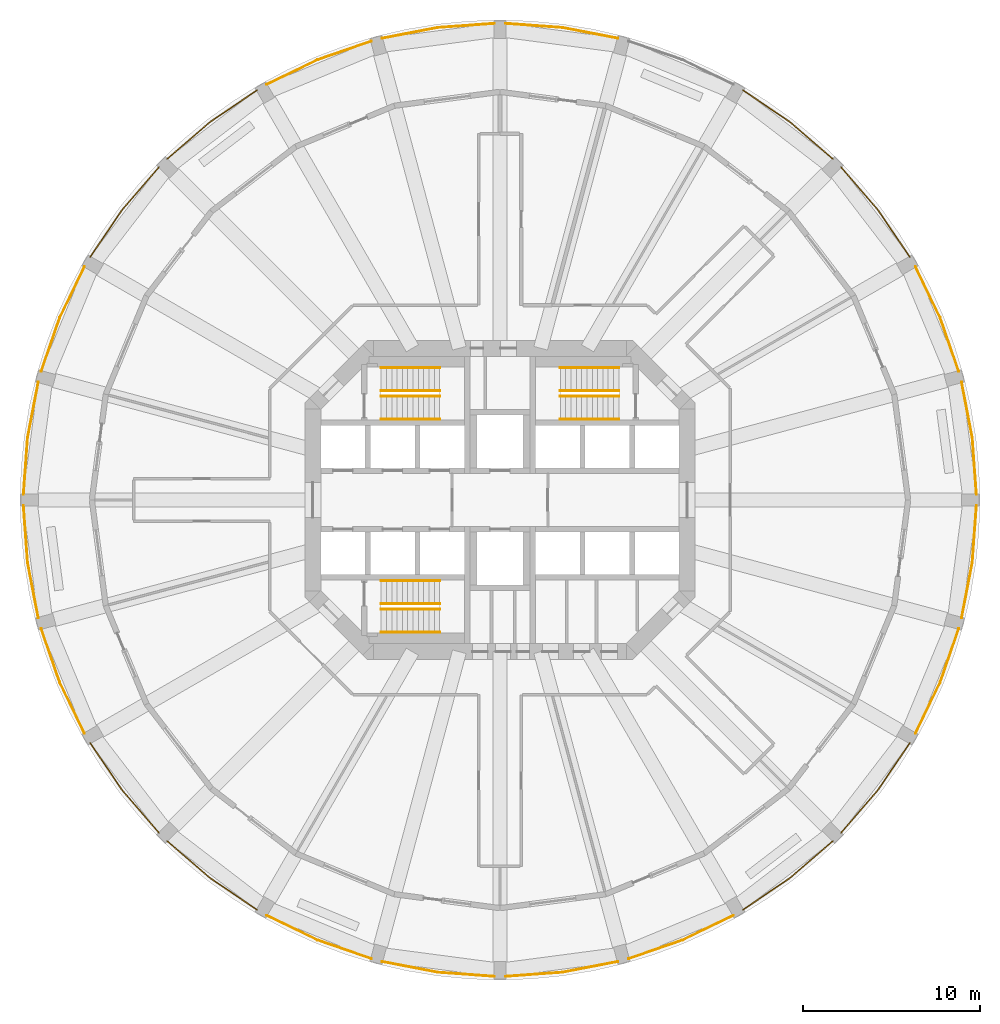
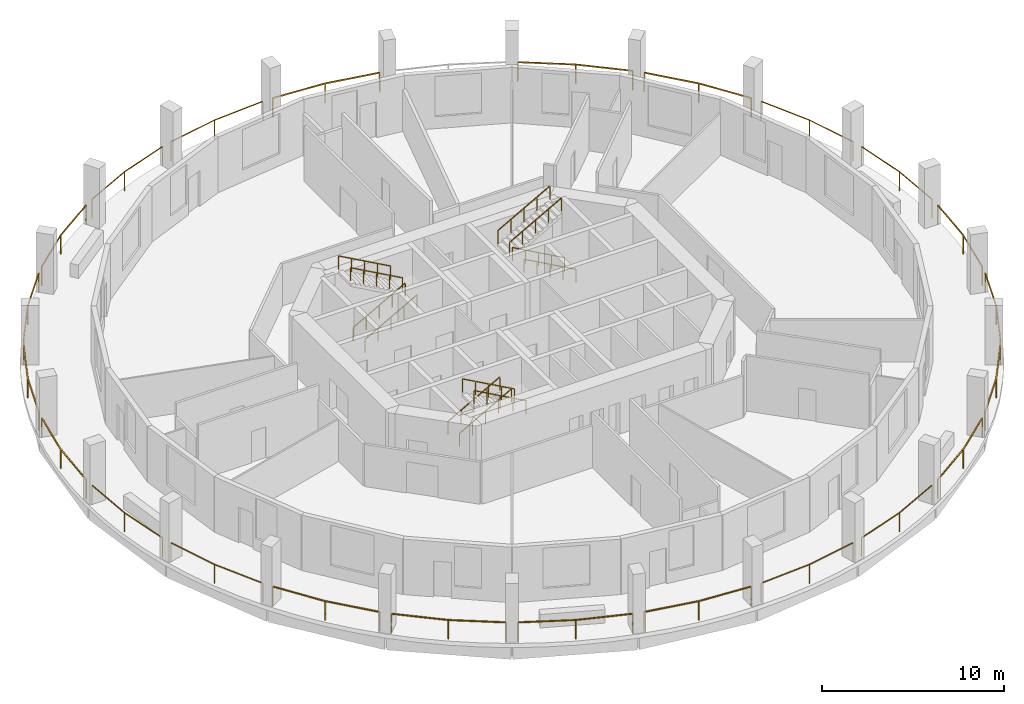
# One storey, part 8 of 9: 35 railings.
"""IFC4 building model written with IfcOpenShell, lengths in metres."""

from ifc_helpers import new_model, si_unit, direction, frame, origin, origin_2d, place, context, subcontext, project, spatial, rectangle, extrude, material, type_object, element, save


model = new_model("IFC4")

# Units and contexts
model_context = context("Model", 3, precision=1e-05, world=origin(), true_north=direction((0.0, 1.0)))
body_context = subcontext(model_context, "Body", "Model", "MODEL_VIEW")
ifc_project = project(units=[si_unit("LENGTHUNIT", "METRE"), si_unit("AREAUNIT", "SQUARE_METRE"), si_unit("VOLUMEUNIT", "CUBIC_METRE"), si_unit("PLANEANGLEUNIT", "RADIAN"), si_unit("MASSUNIT", "GRAM", prefix="KILO")], contexts=[model_context])

# Site, building, storey
site_placement = place(None, origin())
site = spatial("IfcSite", under=ifc_project, at=site_placement, CompositionType="ELEMENT")
building_placement = place(site_placement, origin())
building = spatial("IfcBuilding", under=site, at=building_placement, Name="Torre Triforio", CompositionType="ELEMENT")
storey_placement = place(building_placement, frame((0.0, 0.0, 51.0)))
storey = spatial("IfcBuildingStorey", under=building, at=storey_placement, Name="L10", CompositionType="ELEMENT", Elevation=51.0)

# Railings
ifc_material = material(Name="Stainless steel AISI 316", Category="steel")
railing_type_1 = type_object("IfcRailingType", Name="HANDRAIL 920", PredefinedType="HANDRAIL", material=ifc_material)
for number, where, name in (
    (1, (-6.699951171875, 4.550048828125, 0.166748046875), "Handrail ST1"),
    (2, (-6.699951171875, 5.85009765625, 0.166748046875), "Handrail ST1"),
):
    element("IfcRailing", number, at=place(storey_placement, frame(where)), inside=storey, type_object=railing_type_1, Name=name, PredefinedType="HANDRAIL", context=body_context, shape_type="SweptSolid", body=[
        extrude(rectangle(XDim=0.048095703125, YDim=0.048095703125, at=origin_2d()), frame((0.0, 0.0, 0.89599609375), z_axis=(0.874169478083, 0.0, 0.485620966999), x_axis=(0.0, 1.0, 0.0)), (0.0, 0.0, 1.0), 3.775146484375),
        extrude(rectangle(XDim=0.0419921875, YDim=0.0419921875, at=origin_2d()), origin(), (0.0, 0.0, 1.0), 0.871826171875),
        extrude(rectangle(XDim=0.0419921875, YDim=0.0419921875, at=origin_2d()), frame((0.824951171875, 0.0, 0.458251953125)), (0.0, 0.0, 1.0), 0.871826171875),
        extrude(rectangle(XDim=0.0419921875, YDim=0.0419921875, at=origin_2d()), frame((1.64990234375, 0.0, 0.91650390625)), (0.0, 0.0, 1.0), 0.871826171875),
        extrude(rectangle(XDim=0.0419921875, YDim=0.0419921875, at=origin_2d()), frame((2.47509765625, 0.0, 1.375)), (0.0, 0.0, 1.0), 0.871826171875),
        extrude(rectangle(XDim=0.0419921875, YDim=0.0419921875, at=origin_2d()), frame((3.300048828125, 0.0, 1.833251953125)), (0.0, 0.0, 1.0), 0.871826171875),
    ])
for number, where, name in (
    (3, (-3.39990234375, 7.449951171875, 2.166748046875), "Handrail ST1"),
    (4, (-3.39990234375, 6.14990234375, 2.166748046875), "Handrail ST1"),
    (5, (6.699951171875, 4.550048828125, 0.166748046875), "Handrail ST2"),
    (6, (6.699951171875, 5.85009765625, 0.166748046875), "Handrail ST2"),
):
    element("IfcRailing", number, at=place(storey_placement, frame(where)), inside=storey, type_object=railing_type_1, Name=name, PredefinedType="HANDRAIL", context=body_context, shape_type="SweptSolid", body=[
        extrude(rectangle(XDim=0.048095703125, YDim=0.048095703125, at=origin_2d()), frame((0.0, 0.0, 0.89599609375), z_axis=(-0.874169478083, 0.0, 0.485620966999), x_axis=(0.0, -1.0, 0.0)), (0.0, 0.0, 1.0), 3.775146484375),
        extrude(rectangle(XDim=0.0419921875, YDim=0.0419921875, at=origin_2d()), origin(), (0.0, 0.0, 1.0), 0.871826171875),
        extrude(rectangle(XDim=0.0419921875, YDim=0.0419921875, at=origin_2d()), frame((-0.824951171875, 0.0, 0.458251953125)), (0.0, 0.0, 1.0), 0.871826171875),
        extrude(rectangle(XDim=0.0419921875, YDim=0.0419921875, at=origin_2d()), frame((-1.64990234375, 0.0, 0.91650390625)), (0.0, 0.0, 1.0), 0.871826171875),
        extrude(rectangle(XDim=0.0419921875, YDim=0.0419921875, at=origin_2d()), frame((-2.47509765625, 0.0, 1.375)), (0.0, 0.0, 1.0), 0.871826171875),
        extrude(rectangle(XDim=0.0419921875, YDim=0.0419921875, at=origin_2d()), frame((-3.300048828125, 0.0, 1.833251953125)), (0.0, 0.0, 1.0), 0.871826171875),
    ])
for number, where, name in (
    (7, (3.39990234375, 7.449951171875, 2.166748046875), "Handrail ST2"),
    (8, (3.39990234375, 6.14990234375, 2.166748046875), "Handrail ST2"),
    (9, (-6.699951171875, -4.550048828125, 0.166748046875), "Handrail ST3"),
    (10, (-6.699951171875, -5.85009765625, 0.166748046875), "Handrail ST3"),
):
    element("IfcRailing", number, at=place(storey_placement, frame(where)), inside=storey, type_object=railing_type_1, Name=name, PredefinedType="HANDRAIL", context=body_context, shape_type="SweptSolid", body=[
        extrude(rectangle(XDim=0.048095703125, YDim=0.048095703125, at=origin_2d()), frame((0.0, 0.0, 0.89599609375), z_axis=(0.874169478083, 0.0, 0.485620966999), x_axis=(0.0, 1.0, 0.0)), (0.0, 0.0, 1.0), 3.775146484375),
        extrude(rectangle(XDim=0.0419921875, YDim=0.0419921875, at=origin_2d()), origin(), (0.0, 0.0, 1.0), 0.871826171875),
        extrude(rectangle(XDim=0.0419921875, YDim=0.0419921875, at=origin_2d()), frame((0.824951171875, 0.0, 0.458251953125)), (0.0, 0.0, 1.0), 0.871826171875),
        extrude(rectangle(XDim=0.0419921875, YDim=0.0419921875, at=origin_2d()), frame((1.64990234375, 0.0, 0.91650390625)), (0.0, 0.0, 1.0), 0.871826171875),
        extrude(rectangle(XDim=0.0419921875, YDim=0.0419921875, at=origin_2d()), frame((2.47509765625, 0.0, 1.375)), (0.0, 0.0, 1.0), 0.871826171875),
        extrude(rectangle(XDim=0.0419921875, YDim=0.0419921875, at=origin_2d()), frame((3.300048828125, 0.0, 1.833251953125)), (0.0, 0.0, 1.0), 0.871826171875),
    ])
for number, where, name in (
    (11, (-3.39990234375, -7.449951171875, 2.166748046875), "Handrail ST3"),
    (12, (-3.39990234375, -6.14990234375, 2.166748046875), "Handrail ST3"),
):
    element("IfcRailing", number, at=place(storey_placement, frame(where)), inside=storey, type_object=railing_type_1, Name=name, PredefinedType="HANDRAIL", context=body_context, shape_type="SweptSolid", body=[
        extrude(rectangle(XDim=0.048095703125, YDim=0.048095703125, at=origin_2d()), frame((0.0, 0.0, 0.89599609375), z_axis=(-0.874169478083, 0.0, 0.485620966999), x_axis=(0.0, -1.0, 0.0)), (0.0, 0.0, 1.0), 3.775146484375),
        extrude(rectangle(XDim=0.0419921875, YDim=0.0419921875, at=origin_2d()), origin(), (0.0, 0.0, 1.0), 0.871826171875),
        extrude(rectangle(XDim=0.0419921875, YDim=0.0419921875, at=origin_2d()), frame((-0.824951171875, 0.0, 0.458251953125)), (0.0, 0.0, 1.0), 0.871826171875),
        extrude(rectangle(XDim=0.0419921875, YDim=0.0419921875, at=origin_2d()), frame((-1.64990234375, 0.0, 0.91650390625)), (0.0, 0.0, 1.0), 0.871826171875),
        extrude(rectangle(XDim=0.0419921875, YDim=0.0419921875, at=origin_2d()), frame((-2.47509765625, 0.0, 1.375)), (0.0, 0.0, 1.0), 0.871826171875),
        extrude(rectangle(XDim=0.0419921875, YDim=0.0419921875, at=origin_2d()), frame((-3.300048828125, 0.0, 1.833251953125)), (0.0, 0.0, 1.0), 0.871826171875),
    ])
railing_type_2 = type_object("IfcRailingType", Name="Loggia guard 1300", PredefinedType="GUARDRAIL", material=ifc_material)
railing_1_placement = place(storey_placement, frame((26.85009765625, 0.320068359375, 0.0)))
element("IfcRailing", 13, at=railing_1_placement, inside=storey, type_object=railing_type_2, Name="Loggia guard L10 bay 01", PredefinedType="GUARDRAIL", context=body_context, shape_type="SweptSolid", body=[
    extrude(rectangle(XDim=0.050048828125, YDim=0.050048828125, at=origin_2d()), frame((0.0, 0.0, 1.27490234375), z_axis=(-0.071953458998, 0.997407990613, 0.0), x_axis=(-0.997407990613, -0.071953458998, 0.0)), (0.0, 0.0, 1.0), 3.19287109375),
    extrude(rectangle(XDim=0.050048828125, YDim=0.050048828125, at=origin_2d()), frame((-0.229736328125, 3.1845703125, 1.27490234375), z_axis=(-0.188714097365, 0.982032071501, 0.0), x_axis=(-0.982032071501, -0.188714097365, 0.0)), (0.0, 0.0, 1.0), 3.19287109375),
    extrude(rectangle(XDim=0.0400390625, YDim=0.0400390625, at=origin_2d()), origin(), (0.0, 0.0, 1.0), 1.25),
    extrude(rectangle(XDim=0.0400390625, YDim=0.0400390625, at=origin_2d()), frame((-0.229736328125, 3.1845703125, 0.0)), (0.0, 0.0, 1.0), 1.25),
    extrude(rectangle(XDim=0.0400390625, YDim=0.0400390625, at=origin_2d()), frame((-0.832275390625, 6.320068359375, 0.0)), (0.0, 0.0, 1.0), 1.25),
])
railing_2_placement = place(storey_placement, frame((25.852294921875, 7.25830078125, 0.0)))
element("IfcRailing", 14, at=railing_2_placement, inside=storey, type_object=railing_type_2, Name="Loggia guard L10 bay 02", PredefinedType="GUARDRAIL", context=body_context, shape_type="SweptSolid", body=[
    extrude(rectangle(XDim=0.050048828125, YDim=0.050048828125, at=origin_2d()), frame((0.0, 0.0, 1.27490234375), z_axis=(-0.327627852034, 0.94480685358, 0.0), x_axis=(-0.94480685358, -0.327627852034, 0.0)), (0.0, 0.0, 1.0), 3.193115234375),
    extrude(rectangle(XDim=0.050048828125, YDim=0.050048828125, at=origin_2d()), frame((-1.046142578125, 3.016845703125, 1.27490234375), z_axis=(-0.436384192305, 0.899760432952, 0.0), x_axis=(-0.899760432952, -0.436384192305, 0.0)), (0.0, 0.0, 1.0), 3.19287109375),
    extrude(rectangle(XDim=0.0400390625, YDim=0.0400390625, at=origin_2d()), origin(), (0.0, 0.0, 1.0), 1.25),
    extrude(rectangle(XDim=0.0400390625, YDim=0.0400390625, at=origin_2d()), frame((-1.046142578125, 3.016845703125, 0.0)), (0.0, 0.0, 1.0), 1.25),
    extrude(rectangle(XDim=0.0400390625, YDim=0.0400390625, at=origin_2d()), frame((-2.439453125, 5.8896484375, 0.0)), (0.0, 0.0, 1.0), 1.25),
])
railing_3_placement = place(storey_placement, frame((23.0927734375, 13.7021484375, 0.0)))
element("IfcRailing", 15, at=railing_3_placement, inside=storey, type_object=railing_type_2, Name="Loggia guard L10 bay 03", PredefinedType="GUARDRAIL", context=body_context, shape_type="SweptSolid", body=[
    extrude(rectangle(XDim=0.050048828125, YDim=0.050048828125, at=origin_2d()), frame((0.0, 0.0, 1.27490234375), z_axis=(-0.561018896338, 0.82780299465, 0.0), x_axis=(-0.82780299465, -0.561018896338, 0.0)), (0.0, 0.0, 1.0), 3.19287109375),
    extrude(rectangle(XDim=0.050048828125, YDim=0.050048828125, at=origin_2d()), frame((-1.791259765625, 2.64306640625, 1.27490234375), z_axis=(-0.654385993255, 0.756160678581, 0.0), x_axis=(-0.756160678581, -0.654385993255, 0.0)), (0.0, 0.0, 1.0), 3.19287109375),
    extrude(rectangle(XDim=0.0400390625, YDim=0.0400390625, at=origin_2d()), origin(), (0.0, 0.0, 1.0), 1.25),
    extrude(rectangle(XDim=0.0400390625, YDim=0.0400390625, at=origin_2d()), frame((-1.791259765625, 2.64306640625, 0.0)), (0.0, 0.0, 1.0), 1.25),
    extrude(rectangle(XDim=0.0400390625, YDim=0.0400390625, at=origin_2d()), frame((-3.880615234375, 5.057373046875, 0.0)), (0.0, 0.0, 1.0), 1.25),
])
railing_4_placement = place(storey_placement, frame((18.759521484375, 19.212158203125, 0.0)))
element("IfcRailing", 16, at=railing_4_placement, inside=storey, type_object=railing_type_2, Name="Loggia guard L10 bay 04", PredefinedType="GUARDRAIL", context=body_context, shape_type="SweptSolid", body=[
    extrude(rectangle(XDim=0.050048828125, YDim=0.050048828125, at=origin_2d()), frame((0.0, 0.0, 1.27490234375), z_axis=(-0.756160678581, 0.654385993255, 0.0), x_axis=(-0.654385993255, -0.756160678581, 0.0)), (0.0, 0.0, 1.0), 3.19287109375),
    extrude(rectangle(XDim=0.050048828125, YDim=0.050048828125, at=origin_2d()), frame((-2.414306640625, 2.08935546875, 1.27490234375), z_axis=(-0.82780299465, 0.561018896338, 0.0), x_axis=(-0.561018896338, -0.82780299465, 0.0)), (0.0, 0.0, 1.0), 3.19287109375),
    extrude(rectangle(XDim=0.0400390625, YDim=0.0400390625, at=origin_2d()), origin(), (0.0, 0.0, 1.0), 1.25),
    extrude(rectangle(XDim=0.0400390625, YDim=0.0400390625, at=origin_2d()), frame((-2.414306640625, 2.08935546875, 0.0)), (0.0, 0.0, 1.0), 1.25),
    extrude(rectangle(XDim=0.0400390625, YDim=0.0400390625, at=origin_2d()), frame((-5.057373046875, 3.880615234375, 0.0)), (0.0, 0.0, 1.0), 1.25),
])
railing_5_placement = place(storey_placement, frame((6.64013671875, 26.017822265625, 0.0)))
element("IfcRailing", 17, at=railing_5_placement, inside=storey, type_object=railing_type_2, Name="Loggia guard L10 bay 06", PredefinedType="GUARDRAIL", context=body_context, shape_type="SweptSolid", body=[
    extrude(rectangle(XDim=0.050048828125, YDim=0.050048828125, at=origin_2d()), frame((0.0, 0.0, 1.27490234375), z_axis=(-0.982032071501, 0.188714097365, 0.0), x_axis=(-0.188714097365, -0.982032071501, 0.0)), (0.0, 0.0, 1.0), 3.19287109375),
    extrude(rectangle(XDim=0.050048828125, YDim=0.050048828125, at=origin_2d()), frame((-3.135498046875, 0.6025390625, 1.27490234375), z_axis=(-0.997407990613, 0.071953458998, 0.0), x_axis=(-0.071953458998, -0.997407990613, 0.0)), (0.0, 0.0, 1.0), 3.19287109375),
    extrude(rectangle(XDim=0.0400390625, YDim=0.0400390625, at=origin_2d()), origin(), (0.0, 0.0, 1.0), 1.25),
    extrude(rectangle(XDim=0.0400390625, YDim=0.0400390625, at=origin_2d()), frame((-3.135498046875, 0.6025390625, 0.0)), (0.0, 0.0, 1.0), 1.25),
    extrude(rectangle(XDim=0.0400390625, YDim=0.0400390625, at=origin_2d()), frame((-6.320068359375, 0.832275390625, 0.0)), (0.0, 0.0, 1.0), 1.25),
])
railing_6_placement = place(storey_placement, frame((-0.320068359375, 26.85009765625, 0.0)))
element("IfcRailing", 18, at=railing_6_placement, inside=storey, type_object=railing_type_2, Name="Loggia guard L10 bay 07", PredefinedType="GUARDRAIL", context=body_context, shape_type="SweptSolid", body=[
    extrude(rectangle(XDim=0.050048828125, YDim=0.050048828125, at=origin_2d()), frame((0.0, 0.0, 1.27490234375), z_axis=(-0.997407990613, -0.071953458998, 0.0), x_axis=(0.071953458998, -0.997407990613, 0.0)), (0.0, 0.0, 1.0), 3.19287109375),
    extrude(rectangle(XDim=0.050048828125, YDim=0.050048828125, at=origin_2d()), frame((-3.1845703125, -0.229736328125, 1.27490234375), z_axis=(-0.982032071501, -0.188714097365, 0.0), x_axis=(0.188714097365, -0.982032071501, 0.0)), (0.0, 0.0, 1.0), 3.19287109375),
    extrude(rectangle(XDim=0.0400390625, YDim=0.0400390625, at=origin_2d()), origin(), (0.0, 0.0, 1.0), 1.25),
    extrude(rectangle(XDim=0.0400390625, YDim=0.0400390625, at=origin_2d()), frame((-3.1845703125, -0.229736328125, 0.0)), (0.0, 0.0, 1.0), 1.25),
    extrude(rectangle(XDim=0.0400390625, YDim=0.0400390625, at=origin_2d()), frame((-6.320068359375, -0.832275390625, 0.0)), (0.0, 0.0, 1.0), 1.25),
])
railing_7_placement = place(storey_placement, frame((-7.25830078125, 25.852294921875, 0.0)))
element("IfcRailing", 19, at=railing_7_placement, inside=storey, type_object=railing_type_2, Name="Loggia guard L10 bay 08", PredefinedType="GUARDRAIL", context=body_context, shape_type="SweptSolid", body=[
    extrude(rectangle(XDim=0.050048828125, YDim=0.050048828125, at=origin_2d()), frame((0.0, 0.0, 1.27490234375), z_axis=(-0.94480685358, -0.327627852034, 0.0), x_axis=(0.327627852034, -0.94480685358, 0.0)), (0.0, 0.0, 1.0), 3.193115234375),
    extrude(rectangle(XDim=0.050048828125, YDim=0.050048828125, at=origin_2d()), frame((-3.016845703125, -1.046142578125, 1.27490234375), z_axis=(-0.899760432952, -0.436384192305, 0.0), x_axis=(0.436384192305, -0.899760432952, 0.0)), (0.0, 0.0, 1.0), 3.19287109375),
    extrude(rectangle(XDim=0.0400390625, YDim=0.0400390625, at=origin_2d()), origin(), (0.0, 0.0, 1.0), 1.25),
    extrude(rectangle(XDim=0.0400390625, YDim=0.0400390625, at=origin_2d()), frame((-3.016845703125, -1.046142578125, 0.0)), (0.0, 0.0, 1.0), 1.25),
    extrude(rectangle(XDim=0.0400390625, YDim=0.0400390625, at=origin_2d()), frame((-5.8896484375, -2.439453125, 0.0)), (0.0, 0.0, 1.0), 1.25),
])
railing_8_placement = place(storey_placement, frame((-13.7021484375, 23.0927734375, 0.0)))
element("IfcRailing", 20, at=railing_8_placement, inside=storey, type_object=railing_type_2, Name="Loggia guard L10 bay 09", PredefinedType="GUARDRAIL", context=body_context, shape_type="SweptSolid", body=[
    extrude(rectangle(XDim=0.050048828125, YDim=0.050048828125, at=origin_2d()), frame((0.0, 0.0, 1.27490234375), z_axis=(-0.82780299465, -0.561018896338, 0.0), x_axis=(0.561018896338, -0.82780299465, 0.0)), (0.0, 0.0, 1.0), 3.19287109375),
    extrude(rectangle(XDim=0.050048828125, YDim=0.050048828125, at=origin_2d()), frame((-2.64306640625, -1.791259765625, 1.27490234375), z_axis=(-0.756160678581, -0.654385993255, 0.0), x_axis=(0.654385993255, -0.756160678581, 0.0)), (0.0, 0.0, 1.0), 3.19287109375),
    extrude(rectangle(XDim=0.0400390625, YDim=0.0400390625, at=origin_2d()), origin(), (0.0, 0.0, 1.0), 1.25),
    extrude(rectangle(XDim=0.0400390625, YDim=0.0400390625, at=origin_2d()), frame((-2.64306640625, -1.791259765625, 0.0)), (0.0, 0.0, 1.0), 1.25),
    extrude(rectangle(XDim=0.0400390625, YDim=0.0400390625, at=origin_2d()), frame((-5.057373046875, -3.880615234375, 0.0)), (0.0, 0.0, 1.0), 1.25),
])
railing_9_placement = place(storey_placement, frame((-19.212158203125, 18.759521484375, 0.0)))
element("IfcRailing", 21, at=railing_9_placement, inside=storey, type_object=railing_type_2, Name="Loggia guard L10 bay 10", PredefinedType="GUARDRAIL", context=body_context, shape_type="SweptSolid", body=[
    extrude(rectangle(XDim=0.050048828125, YDim=0.050048828125, at=origin_2d()), frame((0.0, 0.0, 1.27490234375), z_axis=(-0.654385993255, -0.756160678581, 0.0), x_axis=(0.756160678581, -0.654385993255, 0.0)), (0.0, 0.0, 1.0), 3.19287109375),
    extrude(rectangle(XDim=0.050048828125, YDim=0.050048828125, at=origin_2d()), frame((-2.08935546875, -2.414306640625, 1.27490234375), z_axis=(-0.561018896338, -0.82780299465, 0.0), x_axis=(0.82780299465, -0.561018896338, 0.0)), (0.0, 0.0, 1.0), 3.19287109375),
    extrude(rectangle(XDim=0.0400390625, YDim=0.0400390625, at=origin_2d()), origin(), (0.0, 0.0, 1.0), 1.25),
    extrude(rectangle(XDim=0.0400390625, YDim=0.0400390625, at=origin_2d()), frame((-2.08935546875, -2.414306640625, 0.0)), (0.0, 0.0, 1.0), 1.25),
    extrude(rectangle(XDim=0.0400390625, YDim=0.0400390625, at=origin_2d()), frame((-3.880615234375, -5.057373046875, 0.0)), (0.0, 0.0, 1.0), 1.25),
])
railing_10_placement = place(storey_placement, frame((-23.412841796875, 13.14794921875, 0.0)))
element("IfcRailing", 22, at=railing_10_placement, inside=storey, type_object=railing_type_2, Name="Loggia guard L10 bay 11", PredefinedType="GUARDRAIL", context=body_context, shape_type="SweptSolid", body=[
    extrude(rectangle(XDim=0.050048828125, YDim=0.050048828125, at=origin_2d()), frame((0.0, 0.0, 1.27490234375), z_axis=(-0.436384192305, -0.899760432952, 0.0), x_axis=(0.899760432952, -0.436384192305, 0.0)), (0.0, 0.0, 1.0), 3.19287109375),
    extrude(rectangle(XDim=0.050048828125, YDim=0.050048828125, at=origin_2d()), frame((-1.393310546875, -2.872802734375, 1.27490234375), z_axis=(-0.327627852034, -0.94480685358, 0.0), x_axis=(0.94480685358, -0.327627852034, 0.0)), (0.0, 0.0, 1.0), 3.193115234375),
    extrude(rectangle(XDim=0.0400390625, YDim=0.0400390625, at=origin_2d()), origin(), (0.0, 0.0, 1.0), 1.25),
    extrude(rectangle(XDim=0.0400390625, YDim=0.0400390625, at=origin_2d()), frame((-1.393310546875, -2.872802734375, 0.0)), (0.0, 0.0, 1.0), 1.25),
    extrude(rectangle(XDim=0.0400390625, YDim=0.0400390625, at=origin_2d()), frame((-2.439453125, -5.8896484375, 0.0)), (0.0, 0.0, 1.0), 1.25),
])
railing_11_placement = place(storey_placement, frame((-26.017822265625, 6.64013671875, 0.0)))
element("IfcRailing", 23, at=railing_11_placement, inside=storey, type_object=railing_type_2, Name="Loggia guard L10 bay 12", PredefinedType="GUARDRAIL", context=body_context, shape_type="SweptSolid", body=[
    extrude(rectangle(XDim=0.050048828125, YDim=0.050048828125, at=origin_2d()), frame((0.0, 0.0, 1.27490234375), z_axis=(-0.188714097365, -0.982032071501, 0.0), x_axis=(0.982032071501, -0.188714097365, 0.0)), (0.0, 0.0, 1.0), 3.19287109375),
    extrude(rectangle(XDim=0.050048828125, YDim=0.050048828125, at=origin_2d()), frame((-0.6025390625, -3.135498046875, 1.27490234375), z_axis=(-0.071953458998, -0.997407990613, 0.0), x_axis=(0.997407990613, -0.071953458998, 0.0)), (0.0, 0.0, 1.0), 3.19287109375),
    extrude(rectangle(XDim=0.0400390625, YDim=0.0400390625, at=origin_2d()), origin(), (0.0, 0.0, 1.0), 1.25),
    extrude(rectangle(XDim=0.0400390625, YDim=0.0400390625, at=origin_2d()), frame((-0.6025390625, -3.135498046875, 0.0)), (0.0, 0.0, 1.0), 1.25),
    extrude(rectangle(XDim=0.0400390625, YDim=0.0400390625, at=origin_2d()), frame((-0.832275390625, -6.320068359375, 0.0)), (0.0, 0.0, 1.0), 1.25),
])
railing_12_placement = place(storey_placement, frame((-26.85009765625, -0.320068359375, 0.0)))
element("IfcRailing", 24, at=railing_12_placement, inside=storey, type_object=railing_type_2, Name="Loggia guard L10 bay 13", PredefinedType="GUARDRAIL", context=body_context, shape_type="SweptSolid", body=[
    extrude(rectangle(XDim=0.050048828125, YDim=0.050048828125, at=origin_2d()), frame((0.0, 0.0, 1.27490234375), z_axis=(0.071953458998, -0.997407990613, 0.0), x_axis=(0.997407990613, 0.071953458998, 0.0)), (0.0, 0.0, 1.0), 3.19287109375),
    extrude(rectangle(XDim=0.050048828125, YDim=0.050048828125, at=origin_2d()), frame((0.229736328125, -3.1845703125, 1.27490234375), z_axis=(0.188714097365, -0.982032071501, 0.0), x_axis=(0.982032071501, 0.188714097365, 0.0)), (0.0, 0.0, 1.0), 3.19287109375),
    extrude(rectangle(XDim=0.0400390625, YDim=0.0400390625, at=origin_2d()), origin(), (0.0, 0.0, 1.0), 1.25),
    extrude(rectangle(XDim=0.0400390625, YDim=0.0400390625, at=origin_2d()), frame((0.229736328125, -3.1845703125, 0.0)), (0.0, 0.0, 1.0), 1.25),
    extrude(rectangle(XDim=0.0400390625, YDim=0.0400390625, at=origin_2d()), frame((0.832275390625, -6.320068359375, 0.0)), (0.0, 0.0, 1.0), 1.25),
])
railing_13_placement = place(storey_placement, frame((-25.852294921875, -7.25830078125, 0.0)))
element("IfcRailing", 25, at=railing_13_placement, inside=storey, type_object=railing_type_2, Name="Loggia guard L10 bay 14", PredefinedType="GUARDRAIL", context=body_context, shape_type="SweptSolid", body=[
    extrude(rectangle(XDim=0.050048828125, YDim=0.050048828125, at=origin_2d()), frame((0.0, 0.0, 1.27490234375), z_axis=(0.327627852034, -0.94480685358, 0.0), x_axis=(0.94480685358, 0.327627852034, 0.0)), (0.0, 0.0, 1.0), 3.193115234375),
    extrude(rectangle(XDim=0.050048828125, YDim=0.050048828125, at=origin_2d()), frame((1.046142578125, -3.016845703125, 1.27490234375), z_axis=(0.436384192305, -0.899760432952, 0.0), x_axis=(0.899760432952, 0.436384192305, 0.0)), (0.0, 0.0, 1.0), 3.19287109375),
    extrude(rectangle(XDim=0.0400390625, YDim=0.0400390625, at=origin_2d()), origin(), (0.0, 0.0, 1.0), 1.25),
    extrude(rectangle(XDim=0.0400390625, YDim=0.0400390625, at=origin_2d()), frame((1.046142578125, -3.016845703125, 0.0)), (0.0, 0.0, 1.0), 1.25),
    extrude(rectangle(XDim=0.0400390625, YDim=0.0400390625, at=origin_2d()), frame((2.439453125, -5.8896484375, 0.0)), (0.0, 0.0, 1.0), 1.25),
])
railing_14_placement = place(storey_placement, frame((-23.0927734375, -13.7021484375, 0.0)))
element("IfcRailing", 26, at=railing_14_placement, inside=storey, type_object=railing_type_2, Name="Loggia guard L10 bay 15", PredefinedType="GUARDRAIL", context=body_context, shape_type="SweptSolid", body=[
    extrude(rectangle(XDim=0.050048828125, YDim=0.050048828125, at=origin_2d()), frame((0.0, 0.0, 1.27490234375), z_axis=(0.561018896338, -0.82780299465, 0.0), x_axis=(0.82780299465, 0.561018896338, 0.0)), (0.0, 0.0, 1.0), 3.19287109375),
    extrude(rectangle(XDim=0.050048828125, YDim=0.050048828125, at=origin_2d()), frame((1.791259765625, -2.64306640625, 1.27490234375), z_axis=(0.654385993255, -0.756160678581, 0.0), x_axis=(0.756160678581, 0.654385993255, 0.0)), (0.0, 0.0, 1.0), 3.19287109375),
    extrude(rectangle(XDim=0.0400390625, YDim=0.0400390625, at=origin_2d()), origin(), (0.0, 0.0, 1.0), 1.25),
    extrude(rectangle(XDim=0.0400390625, YDim=0.0400390625, at=origin_2d()), frame((1.791259765625, -2.64306640625, 0.0)), (0.0, 0.0, 1.0), 1.25),
    extrude(rectangle(XDim=0.0400390625, YDim=0.0400390625, at=origin_2d()), frame((3.880615234375, -5.057373046875, 0.0)), (0.0, 0.0, 1.0), 1.25),
])
railing_15_placement = place(storey_placement, frame((-18.759521484375, -19.212158203125, 0.0)))
element("IfcRailing", 27, at=railing_15_placement, inside=storey, type_object=railing_type_2, Name="Loggia guard L10 bay 16", PredefinedType="GUARDRAIL", context=body_context, shape_type="SweptSolid", body=[
    extrude(rectangle(XDim=0.050048828125, YDim=0.050048828125, at=origin_2d()), frame((0.0, 0.0, 1.27490234375), z_axis=(0.756160678581, -0.654385993255, 0.0), x_axis=(0.654385993255, 0.756160678581, 0.0)), (0.0, 0.0, 1.0), 3.19287109375),
    extrude(rectangle(XDim=0.050048828125, YDim=0.050048828125, at=origin_2d()), frame((2.414306640625, -2.08935546875, 1.27490234375), z_axis=(0.82780299465, -0.561018896338, 0.0), x_axis=(0.561018896338, 0.82780299465, 0.0)), (0.0, 0.0, 1.0), 3.19287109375),
    extrude(rectangle(XDim=0.0400390625, YDim=0.0400390625, at=origin_2d()), origin(), (0.0, 0.0, 1.0), 1.25),
    extrude(rectangle(XDim=0.0400390625, YDim=0.0400390625, at=origin_2d()), frame((2.414306640625, -2.08935546875, 0.0)), (0.0, 0.0, 1.0), 1.25),
    extrude(rectangle(XDim=0.0400390625, YDim=0.0400390625, at=origin_2d()), frame((5.057373046875, -3.880615234375, 0.0)), (0.0, 0.0, 1.0), 1.25),
])
railing_16_placement = place(storey_placement, frame((-13.14794921875, -23.412841796875, 0.0)))
element("IfcRailing", 28, at=railing_16_placement, inside=storey, type_object=railing_type_2, Name="Loggia guard L10 bay 17", PredefinedType="GUARDRAIL", context=body_context, shape_type="SweptSolid", body=[
    extrude(rectangle(XDim=0.050048828125, YDim=0.050048828125, at=origin_2d()), frame((0.0, 0.0, 1.27490234375), z_axis=(0.899760432952, -0.436384192305, 0.0), x_axis=(0.436384192305, 0.899760432952, 0.0)), (0.0, 0.0, 1.0), 3.19287109375),
    extrude(rectangle(XDim=0.050048828125, YDim=0.050048828125, at=origin_2d()), frame((2.872802734375, -1.393310546875, 1.27490234375), z_axis=(0.94480685358, -0.327627852034, 0.0), x_axis=(0.327627852034, 0.94480685358, 0.0)), (0.0, 0.0, 1.0), 3.193115234375),
    extrude(rectangle(XDim=0.0400390625, YDim=0.0400390625, at=origin_2d()), origin(), (0.0, 0.0, 1.0), 1.25),
    extrude(rectangle(XDim=0.0400390625, YDim=0.0400390625, at=origin_2d()), frame((2.872802734375, -1.393310546875, 0.0)), (0.0, 0.0, 1.0), 1.25),
    extrude(rectangle(XDim=0.0400390625, YDim=0.0400390625, at=origin_2d()), frame((5.8896484375, -2.439453125, 0.0)), (0.0, 0.0, 1.0), 1.25),
])
railing_17_placement = place(storey_placement, frame((-6.64013671875, -26.017822265625, 0.0)))
element("IfcRailing", 29, at=railing_17_placement, inside=storey, type_object=railing_type_2, Name="Loggia guard L10 bay 18", PredefinedType="GUARDRAIL", context=body_context, shape_type="SweptSolid", body=[
    extrude(rectangle(XDim=0.050048828125, YDim=0.050048828125, at=origin_2d()), frame((0.0, 0.0, 1.27490234375), z_axis=(0.982032071501, -0.188714097365, 0.0), x_axis=(0.188714097365, 0.982032071501, 0.0)), (0.0, 0.0, 1.0), 3.19287109375),
    extrude(rectangle(XDim=0.050048828125, YDim=0.050048828125, at=origin_2d()), frame((3.135498046875, -0.6025390625, 1.27490234375), z_axis=(0.997407990613, -0.071953458998, 0.0), x_axis=(0.071953458998, 0.997407990613, 0.0)), (0.0, 0.0, 1.0), 3.19287109375),
    extrude(rectangle(XDim=0.0400390625, YDim=0.0400390625, at=origin_2d()), origin(), (0.0, 0.0, 1.0), 1.25),
    extrude(rectangle(XDim=0.0400390625, YDim=0.0400390625, at=origin_2d()), frame((3.135498046875, -0.6025390625, 0.0)), (0.0, 0.0, 1.0), 1.25),
    extrude(rectangle(XDim=0.0400390625, YDim=0.0400390625, at=origin_2d()), frame((6.320068359375, -0.832275390625, 0.0)), (0.0, 0.0, 1.0), 1.25),
])
railing_18_placement = place(storey_placement, frame((0.320068359375, -26.85009765625, 0.0)))
element("IfcRailing", 30, at=railing_18_placement, inside=storey, type_object=railing_type_2, Name="Loggia guard L10 bay 19", PredefinedType="GUARDRAIL", context=body_context, shape_type="SweptSolid", body=[
    extrude(rectangle(XDim=0.050048828125, YDim=0.050048828125, at=origin_2d()), frame((0.0, 0.0, 1.27490234375), z_axis=(0.997407990613, 0.071953458998, 0.0), x_axis=(-0.071953458998, 0.997407990613, 0.0)), (0.0, 0.0, 1.0), 3.19287109375),
    extrude(rectangle(XDim=0.050048828125, YDim=0.050048828125, at=origin_2d()), frame((3.1845703125, 0.229736328125, 1.27490234375), z_axis=(0.982032071501, 0.188714097365, 0.0), x_axis=(-0.188714097365, 0.982032071501, 0.0)), (0.0, 0.0, 1.0), 3.19287109375),
    extrude(rectangle(XDim=0.0400390625, YDim=0.0400390625, at=origin_2d()), origin(), (0.0, 0.0, 1.0), 1.25),
    extrude(rectangle(XDim=0.0400390625, YDim=0.0400390625, at=origin_2d()), frame((3.1845703125, 0.229736328125, 0.0)), (0.0, 0.0, 1.0), 1.25),
    extrude(rectangle(XDim=0.0400390625, YDim=0.0400390625, at=origin_2d()), frame((6.320068359375, 0.832275390625, 0.0)), (0.0, 0.0, 1.0), 1.25),
])
railing_19_placement = place(storey_placement, frame((7.25830078125, -25.852294921875, 0.0)))
element("IfcRailing", 31, at=railing_19_placement, inside=storey, type_object=railing_type_2, Name="Loggia guard L10 bay 20", PredefinedType="GUARDRAIL", context=body_context, shape_type="SweptSolid", body=[
    extrude(rectangle(XDim=0.050048828125, YDim=0.050048828125, at=origin_2d()), frame((0.0, 0.0, 1.27490234375), z_axis=(0.94480685358, 0.327627852034, 0.0), x_axis=(-0.327627852034, 0.94480685358, 0.0)), (0.0, 0.0, 1.0), 3.193115234375),
    extrude(rectangle(XDim=0.050048828125, YDim=0.050048828125, at=origin_2d()), frame((3.016845703125, 1.046142578125, 1.27490234375), z_axis=(0.899760432952, 0.436384192305, 0.0), x_axis=(-0.436384192305, 0.899760432952, 0.0)), (0.0, 0.0, 1.0), 3.19287109375),
    extrude(rectangle(XDim=0.0400390625, YDim=0.0400390625, at=origin_2d()), origin(), (0.0, 0.0, 1.0), 1.25),
    extrude(rectangle(XDim=0.0400390625, YDim=0.0400390625, at=origin_2d()), frame((3.016845703125, 1.046142578125, 0.0)), (0.0, 0.0, 1.0), 1.25),
    extrude(rectangle(XDim=0.0400390625, YDim=0.0400390625, at=origin_2d()), frame((5.8896484375, 2.439453125, 0.0)), (0.0, 0.0, 1.0), 1.25),
])
railing_20_placement = place(storey_placement, frame((13.7021484375, -23.0927734375, 0.0)))
element("IfcRailing", 32, at=railing_20_placement, inside=storey, type_object=railing_type_2, Name="Loggia guard L10 bay 21", PredefinedType="GUARDRAIL", context=body_context, shape_type="SweptSolid", body=[
    extrude(rectangle(XDim=0.050048828125, YDim=0.050048828125, at=origin_2d()), frame((0.0, 0.0, 1.27490234375), z_axis=(0.82780299465, 0.561018896338, 0.0), x_axis=(-0.561018896338, 0.82780299465, 0.0)), (0.0, 0.0, 1.0), 3.19287109375),
    extrude(rectangle(XDim=0.050048828125, YDim=0.050048828125, at=origin_2d()), frame((2.64306640625, 1.791259765625, 1.27490234375), z_axis=(0.756160678581, 0.654385993255, 0.0), x_axis=(-0.654385993255, 0.756160678581, 0.0)), (0.0, 0.0, 1.0), 3.19287109375),
    extrude(rectangle(XDim=0.0400390625, YDim=0.0400390625, at=origin_2d()), origin(), (0.0, 0.0, 1.0), 1.25),
    extrude(rectangle(XDim=0.0400390625, YDim=0.0400390625, at=origin_2d()), frame((2.64306640625, 1.791259765625, 0.0)), (0.0, 0.0, 1.0), 1.25),
    extrude(rectangle(XDim=0.0400390625, YDim=0.0400390625, at=origin_2d()), frame((5.057373046875, 3.880615234375, 0.0)), (0.0, 0.0, 1.0), 1.25),
])
railing_21_placement = place(storey_placement, frame((19.212158203125, -18.759521484375, 0.0)))
element("IfcRailing", 33, at=railing_21_placement, inside=storey, type_object=railing_type_2, Name="Loggia guard L10 bay 22", PredefinedType="GUARDRAIL", context=body_context, shape_type="SweptSolid", body=[
    extrude(rectangle(XDim=0.050048828125, YDim=0.050048828125, at=origin_2d()), frame((0.0, 0.0, 1.27490234375), z_axis=(0.654385993255, 0.756160678581, 0.0), x_axis=(-0.756160678581, 0.654385993255, 0.0)), (0.0, 0.0, 1.0), 3.19287109375),
    extrude(rectangle(XDim=0.050048828125, YDim=0.050048828125, at=origin_2d()), frame((2.08935546875, 2.414306640625, 1.27490234375), z_axis=(0.561018896338, 0.82780299465, 0.0), x_axis=(-0.82780299465, 0.561018896338, 0.0)), (0.0, 0.0, 1.0), 3.19287109375),
    extrude(rectangle(XDim=0.0400390625, YDim=0.0400390625, at=origin_2d()), origin(), (0.0, 0.0, 1.0), 1.25),
    extrude(rectangle(XDim=0.0400390625, YDim=0.0400390625, at=origin_2d()), frame((2.08935546875, 2.414306640625, 0.0)), (0.0, 0.0, 1.0), 1.25),
    extrude(rectangle(XDim=0.0400390625, YDim=0.0400390625, at=origin_2d()), frame((3.880615234375, 5.057373046875, 0.0)), (0.0, 0.0, 1.0), 1.25),
])
railing_22_placement = place(storey_placement, frame((23.412841796875, -13.14794921875, 0.0)))
element("IfcRailing", 34, at=railing_22_placement, inside=storey, type_object=railing_type_2, Name="Loggia guard L10 bay 23", PredefinedType="GUARDRAIL", context=body_context, shape_type="SweptSolid", body=[
    extrude(rectangle(XDim=0.050048828125, YDim=0.050048828125, at=origin_2d()), frame((0.0, 0.0, 1.27490234375), z_axis=(0.436384192305, 0.899760432952, 0.0), x_axis=(-0.899760432952, 0.436384192305, 0.0)), (0.0, 0.0, 1.0), 3.19287109375),
    extrude(rectangle(XDim=0.050048828125, YDim=0.050048828125, at=origin_2d()), frame((1.393310546875, 2.872802734375, 1.27490234375), z_axis=(0.327627852034, 0.94480685358, 0.0), x_axis=(-0.94480685358, 0.327627852034, 0.0)), (0.0, 0.0, 1.0), 3.193115234375),
    extrude(rectangle(XDim=0.0400390625, YDim=0.0400390625, at=origin_2d()), origin(), (0.0, 0.0, 1.0), 1.25),
    extrude(rectangle(XDim=0.0400390625, YDim=0.0400390625, at=origin_2d()), frame((1.393310546875, 2.872802734375, 0.0)), (0.0, 0.0, 1.0), 1.25),
    extrude(rectangle(XDim=0.0400390625, YDim=0.0400390625, at=origin_2d()), frame((2.439453125, 5.8896484375, 0.0)), (0.0, 0.0, 1.0), 1.25),
])
railing_23_placement = place(storey_placement, frame((26.017822265625, -6.64013671875, 0.0)))
element("IfcRailing", 35, at=railing_23_placement, inside=storey, type_object=railing_type_2, Name="Loggia guard L10 bay 24", PredefinedType="GUARDRAIL", context=body_context, shape_type="SweptSolid", body=[
    extrude(rectangle(XDim=0.050048828125, YDim=0.050048828125, at=origin_2d()), frame((0.0, 0.0, 1.27490234375), z_axis=(0.188714097365, 0.982032071501, 0.0), x_axis=(-0.982032071501, 0.188714097365, 0.0)), (0.0, 0.0, 1.0), 3.19287109375),
    extrude(rectangle(XDim=0.050048828125, YDim=0.050048828125, at=origin_2d()), frame((0.6025390625, 3.135498046875, 1.27490234375), z_axis=(0.071953458998, 0.997407990613, 0.0), x_axis=(-0.997407990613, 0.071953458998, 0.0)), (0.0, 0.0, 1.0), 3.19287109375),
    extrude(rectangle(XDim=0.0400390625, YDim=0.0400390625, at=origin_2d()), origin(), (0.0, 0.0, 1.0), 1.25),
    extrude(rectangle(XDim=0.0400390625, YDim=0.0400390625, at=origin_2d()), frame((0.6025390625, 3.135498046875, 0.0)), (0.0, 0.0, 1.0), 1.25),
    extrude(rectangle(XDim=0.0400390625, YDim=0.0400390625, at=origin_2d()), frame((0.832275390625, 6.320068359375, 0.0)), (0.0, 0.0, 1.0), 1.25),
])

save(model, "model.ifc")
